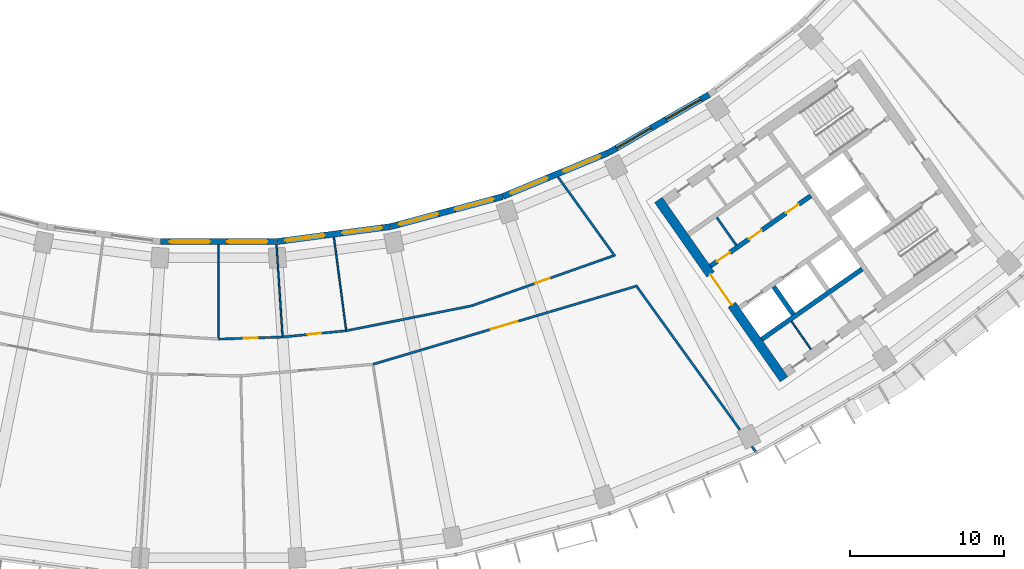
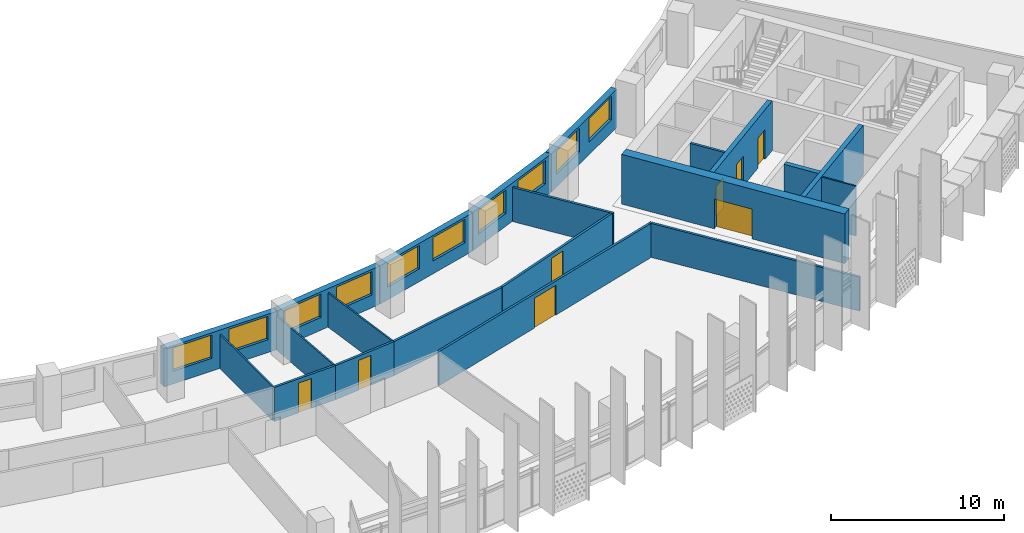
# One storey, part 6 of 27: 21 walls, 10 windows, 8 doors, 18 openings.
"""IFC4 building model written with IfcOpenShell, lengths in metres."""

from ifc_helpers import new_model, si_unit, direction, frame, frame_2d, origin, place, context, subcontext, project, spatial, rectangle, extrude, material, layer, layer_set, type_object, element, fill, save


model = new_model("IFC4")

# Units and contexts
model_context = context("Model", 3, precision=1e-05, world=origin(), true_north=direction((0.0, 1.0)))
body_context = subcontext(model_context, "Body", "Model", "MODEL_VIEW")
ifc_project = project(units=[si_unit("LENGTHUNIT", "METRE"), si_unit("AREAUNIT", "SQUARE_METRE"), si_unit("VOLUMEUNIT", "CUBIC_METRE"), si_unit("PLANEANGLEUNIT", "RADIAN"), si_unit("MASSUNIT", "GRAM", prefix="KILO")], contexts=[model_context])

# Site, building, storey
site_placement = place(None, origin())
site = spatial("IfcSite", under=ifc_project, at=site_placement, CompositionType="ELEMENT")
building_placement = place(site_placement, origin())
building = spatial("IfcBuilding", under=site, at=building_placement, Name="Qamariyya Broadcast Tower", CompositionType="ELEMENT")
storey_placement = place(building_placement, frame((0.0, 0.0, 172.10009765625)))
storey = spatial("IfcBuildingStorey", under=building, at=storey_placement, Name="L40", CompositionType="ELEMENT", Elevation=172.10009765625)

# Wall, opening, door
ifc_material_1 = material(Name="Concrete C60/75", Category="concrete")
ifc_layer_1 = layer(ifc_material_1, 0.60009765625)
ifc_layer_set_1 = layer_set([ifc_layer_1], Name="Core wall 600 mm Concrete C60/75")
wall_type_1 = type_object("IfcWallType", Name="Core wall 600 mm Concrete C60/75", PredefinedType="SHEAR", material=ifc_layer_set_1)
wall_1_placement = place(storey_placement, frame((36.66748046875, -66.005126953125, 0.0), z_axis=(0.0, 0.0, 1.0), x_axis=(-0.573568499524, 0.819157601658, 0.0)))
wall_1 = element("IfcWall", 1, at=wall_1_placement, inside=storey, type_object=wall_type_1, Name="k-E-L40-WA", PredefinedType="SHEAR", context=body_context, shape_type="SweptSolid", body=[
    extrude(rectangle(XDim=14.19970703125, YDim=0.60009765625, at=frame_2d((7.099853515625, 0.0))), origin(), (0.0, 0.0, 1.0), 3.5),
])
opening_1_placement = place(wall_1_placement, frame((5.89990234375, 0.0, 0.0)))
opening_1 = element("IfcOpeningElement", 2, at=opening_1_placement, cuts=wall_1, Name="Opening KD3-E1", PredefinedType="OPENING", context=body_context, shape_type="SweptSolid", body=[
    extrude(rectangle(XDim=2.39990234375, YDim=2.10009765625, at=frame_2d((1.199951171875, 1.050048828125))), frame((0.0, 0.31005859375, 0.0), z_axis=(0.0, -1.0, 0.0), x_axis=(1.0, 0.0, 0.0)), (0.0, 0.0, 1.0), 0.6201171875),
])
ifc_material_2 = material(Name="Steel fire-resisting door leaf", Category="steel")
door_type_1 = type_object("IfcDoorType", Name="Lift lobby door KD3", OperationType="DOUBLE_DOOR_SINGLE_SWING", PredefinedType="DOOR", material=ifc_material_2)
door_1_placement = place(opening_1_placement, origin())
door_1 = element("IfcDoor", 3, at=door_1_placement, inside=storey, type_object=door_type_1, Name="k-E-L40-WA-D1", OperationType="DOUBLE_DOOR_SINGLE_SWING", OverallHeight=2.10009765625, OverallWidth=2.39990234375, PredefinedType="DOOR", context=body_context, shape_type="SweptSolid", body=[
    extrude(rectangle(XDim=2.39990234375, YDim=2.10009765625, at=frame_2d((1.199951171875, 1.050048828125))), frame((0.0, 0.02490234375, 0.0), z_axis=(0.0, -1.0, 0.0), x_axis=(1.0, 0.0, 0.0)), (0.0, 0.0, 1.0), 0.050048828125),
])
fill(opening_1, door_1)

ifc_material_3 = material(Name="Gypsum board partition")
ifc_layer_2 = layer(ifc_material_3, 0.14990234375)
ifc_layer_set_2 = layer_set([ifc_layer_2], Name="Corridor partition 150 EI 60")
wall_type_2 = type_object("IfcWallType", Name="Corridor partition 150 EI 60", PredefinedType="PARTITIONING", material=ifc_layer_set_2)
wall_2_placement = place(storey_placement, frame((0.0, -63.39990234375, 0.0), z_axis=(0.0, 0.0, 1.0), x_axis=(0.999464584765, 0.032719165634, 0.0)))
wall_2 = element("IfcWall", 4, at=wall_2_placement, inside=storey, type_object=wall_type_2, Name="Partition L40-015", PredefinedType="PARTITIONING", context=body_context, shape_type="SweptSolid", body=[
    extrude(rectangle(XDim=4.148681640625, YDim=0.14990234375, at=frame_2d((2.07421875, 0.0))), origin(), (0.0, 0.0, 1.0), 2.39990234375),
])
opening_2_placement = place(wall_2_placement, frame((1.62451171875, 0.0, 0.0)))
opening_2 = element("IfcOpeningElement", 5, at=opening_2_placement, cuts=wall_2, Name="Opening L40-D09", PredefinedType="OPENING", context=body_context, shape_type="SweptSolid", body=[
    extrude(rectangle(XDim=0.89990234375, YDim=2.10009765625, at=frame_2d((0.449951171875, 1.050048828125))), frame((0.0, 0.0849609375, 0.0), z_axis=(0.0, -1.0, 0.0), x_axis=(1.0, 0.0, 0.0)), (0.0, 0.0, 1.0), 0.169921875),
])
ifc_material_4 = material(Name="Timber fire door leaf", Category="wood")
door_type_2 = type_object("IfcDoorType", Name="Fire door 900 x 2100 FD60", OperationType="NOTDEFINED", PredefinedType="DOOR", material=ifc_material_4)
door_2_placement = place(opening_2_placement, origin())
door_2 = element("IfcDoor", 6, at=door_2_placement, inside=storey, type_object=door_type_2, Name="Door L40-D09", OperationType="SINGLE_SWING_RIGHT", OverallHeight=2.10009765625, OverallWidth=0.89990234375, PredefinedType="DOOR", context=body_context, shape_type="SweptSolid", body=[
    extrude(rectangle(XDim=0.89990234375, YDim=2.10009765625, at=frame_2d((0.449951171875, 1.050048828125))), frame((0.0, 0.02490234375, 0.0), z_axis=(0.0, -1.0, 0.0), x_axis=(1.0, 0.0, 0.0)), (0.0, 0.0, 1.0), 0.050048828125),
])
fill(opening_2, door_2)

wall_3_placement = place(storey_placement, frame((4.146484375, -63.26416015625, 0.0), z_axis=(0.0, 0.0, 1.0), x_axis=(0.995188667069, 0.097977124567, 0.0)))
wall_3 = element("IfcWall", 7, at=wall_3_placement, inside=storey, type_object=wall_type_2, Name="Partition L40-020", PredefinedType="PARTITIONING", context=body_context, shape_type="SweptSolid", body=[
    extrude(rectangle(XDim=4.14892578125, YDim=0.14990234375, at=frame_2d((2.074462890625, 0.0))), origin(), (0.0, 0.0, 1.0), 2.39990234375),
])
opening_3_placement = place(wall_3_placement, frame((1.62451171875, 0.0, 0.0)))
opening_3 = element("IfcOpeningElement", 8, at=opening_3_placement, cuts=wall_3, Name="Opening L40-D10", PredefinedType="OPENING", context=body_context, shape_type="SweptSolid", body=[
    extrude(rectangle(XDim=0.89990234375, YDim=2.10009765625, at=frame_2d((0.449951171875, 1.050048828125))), frame((0.0, 0.0849609375, 0.0), z_axis=(0.0, -1.0, 0.0), x_axis=(1.0, 0.0, 0.0)), (0.0, 0.0, 1.0), 0.169921875),
])
door_3_placement = place(opening_3_placement, origin())
door_3 = element("IfcDoor", 9, at=door_3_placement, inside=storey, type_object=door_type_2, Name="Door L40-D10", OperationType="SINGLE_SWING_RIGHT", OverallHeight=2.10009765625, OverallWidth=0.89990234375, PredefinedType="DOOR", context=body_context, shape_type="SweptSolid", body=[
    extrude(rectangle(XDim=0.89990234375, YDim=2.10009765625, at=frame_2d((0.449951171875, 1.050048828125))), frame((0.0, 0.02490234375, 0.0), z_axis=(0.0, -1.0, 0.0), x_axis=(1.0, 0.0, 0.0)), (0.0, 0.0, 1.0), 0.050048828125),
])
fill(opening_3, door_3)

# Wall
wall_4_placement = place(storey_placement, frame((8.275390625, -62.857666015625, 0.0), z_axis=(0.0, 0.0, 1.0), x_axis=(0.980780777209, 0.195112959735, 0.0)))
element("IfcWall", 10, at=wall_4_placement, inside=storey, type_object=wall_type_2, Name="Partition L40-022", PredefinedType="PARTITIONING", context=body_context, shape_type="SweptSolid", body=[
    extrude(rectangle(XDim=8.28466796875, YDim=0.14990234375, at=frame_2d((4.142333984375, 0.0))), origin(), (0.0, 0.0, 1.0), 2.39990234375),
])

# Wall, opening, door
wall_5_placement = place(storey_placement, frame((27.02880859375, -59.981201171875, 0.0), z_axis=(0.0, 0.0, 1.0), x_axis=(-0.958635901926, -0.284635218373, 0.0)))
wall_5 = element("IfcWall", 11, at=wall_5_placement, inside=storey, type_object=wall_type_2, Name="Partition L40-023", PredefinedType="PARTITIONING", context=body_context, shape_type="SweptSolid", body=[
    extrude(rectangle(XDim=17.751708984375, YDim=0.14990234375, at=frame_2d((8.8759765625, 0.0))), origin(), (0.0, 0.0, 1.0), 2.39990234375),
])
opening_4_placement = place(wall_5_placement, frame((7.975830078125, 0.0, 0.0)))
opening_4 = element("IfcOpeningElement", 12, at=opening_4_placement, cuts=wall_5, Name="Opening L40-D06", PredefinedType="OPENING", context=body_context, shape_type="SweptSolid", body=[
    extrude(rectangle(XDim=1.800048828125, YDim=2.10009765625, at=frame_2d((0.89990234375, 1.050048828125))), frame((0.0, 0.0849609375, 0.0), z_axis=(0.0, -1.0, 0.0), x_axis=(1.0, 0.0, 0.0)), (0.0, 0.0, 1.0), 0.169921875),
])
door_type_3 = type_object("IfcDoorType", Name="Double fire door 1800 x 2100 FD60", OperationType="NOTDEFINED", PredefinedType="DOOR", material=ifc_material_4)
door_4_placement = place(opening_4_placement, origin())
door_4 = element("IfcDoor", 13, at=door_4_placement, inside=storey, type_object=door_type_3, Name="Door L40-D06", OperationType="DOUBLE_DOOR_SINGLE_SWING", OverallHeight=2.10009765625, OverallWidth=1.800048828125, PredefinedType="DOOR", context=body_context, shape_type="SweptSolid", body=[
    extrude(rectangle(XDim=1.800048828125, YDim=2.10009765625, at=frame_2d((0.89990234375, 1.050048828125))), frame((0.0, 0.02490234375, 0.0), z_axis=(0.0, -1.0, 0.0), x_axis=(1.0, 0.0, 0.0)), (0.0, 0.0, 1.0), 0.050048828125),
])
fill(opening_4, door_4)

wall_6_placement = place(storey_placement, frame((16.4169921875, -61.23681640625, 0.0), z_axis=(0.0, 0.0, 1.0), x_axis=(0.942982926679, 0.332841103219, 0.0)))
wall_6 = element("IfcWall", 14, at=wall_6_placement, inside=storey, type_object=wall_type_2, Name="Partition L40-025", PredefinedType="PARTITIONING", context=body_context, shape_type="SweptSolid", body=[
    extrude(rectangle(XDim=9.736572265625, YDim=0.14990234375, at=frame_2d((4.8681640625, 0.0))), origin(), (0.0, 0.0, 1.0), 2.39990234375),
])
opening_5_placement = place(wall_6_placement, frame((4.368408203125, 0.0, 0.0)))
opening_5 = element("IfcOpeningElement", 15, at=opening_5_placement, cuts=wall_6, Name="Opening L40-D11", PredefinedType="OPENING", context=body_context, shape_type="SweptSolid", body=[
    extrude(rectangle(XDim=1.0, YDim=2.10009765625, at=frame_2d((0.5, 1.050048828125))), frame((0.0, 0.0849609375, 0.0), z_axis=(0.0, -1.0, 0.0), x_axis=(1.0, 0.0, 0.0)), (0.0, 0.0, 1.0), 0.169921875),
])
door_type_4 = type_object("IfcDoorType", Name="Fire door 1000 x 2100 FD60", OperationType="NOTDEFINED", PredefinedType="DOOR", material=ifc_material_4)
door_5_placement = place(opening_5_placement, origin())
door_5 = element("IfcDoor", 16, at=door_5_placement, inside=storey, type_object=door_type_4, Name="Door L40-D11", OperationType="SINGLE_SWING_RIGHT", OverallHeight=2.10009765625, OverallWidth=1.0, PredefinedType="DOOR", context=body_context, shape_type="SweptSolid", body=[
    extrude(rectangle(XDim=1.0, YDim=2.10009765625, at=frame_2d((0.5, 1.050048828125))), frame((0.0, 0.02490234375, 0.0), z_axis=(0.0, -1.0, 0.0), x_axis=(1.0, 0.0, 0.0)), (0.0, 0.0, 1.0), 0.050048828125),
])
fill(opening_5, door_5)

# Walls
wall_7_placement = place(storey_placement, frame((22.0, -52.873046875, 0.0), z_axis=(0.0, 0.0, 1.0), x_axis=(0.58417014289, -0.811631224236, 0.0)))
element("IfcWall", 17, at=wall_7_placement, inside=storey, type_object=wall_type_2, Name="Partition L40-026", PredefinedType="PARTITIONING", context=body_context, shape_type="SweptSolid", body=[
    extrude(rectangle(XDim=6.356201171875, YDim=0.14990234375, at=frame_2d((3.17822265625, 0.0))), origin(), (0.0, 0.0, 1.0), 2.39990234375),
])
wall_8_placement = place(storey_placement, frame((27.056884765625, -59.899169921875, 0.0), z_axis=(0.0, 0.0, 1.0), x_axis=(0.584166374063, -0.81163393683, 0.0)))
element("IfcWall", 18, at=wall_8_placement, inside=storey, type_object=wall_type_2, Name="Partition L40-027", PredefinedType="PARTITIONING", context=body_context, shape_type="SweptSolid", body=[
    extrude(rectangle(XDim=13.296142578125, YDim=0.14990234375, at=frame_2d((6.64794921875, 0.0))), origin(), (0.0, 0.0, 1.0), 2.39990234375),
])
ifc_material_5 = material(Name="Gypsum board partition on steel studs", Category="steel")
ifc_layer_3 = layer(ifc_material_5, 0.14990234375)
ifc_layer_set_3 = layer_set([ifc_layer_3], Name="Gypsum board partition 150 mm")
wall_type_3 = type_object("IfcWallType", Name="Gypsum board partition 150 mm", PredefinedType="PARTITIONING", material=ifc_layer_set_3)
wall_9_placement = place(storey_placement, frame((33.569580078125, -57.3095703125, 0.0), z_axis=(0.0, 0.0, 1.0), x_axis=(-0.573507030513, 0.819200638399, 0.0)))
element("IfcWall", 19, at=wall_9_placement, inside=storey, type_object=wall_type_3, Name="k-E-L40-NC215", PredefinedType="PARTITIONING", context=body_context, shape_type="SweptSolid", body=[
    extrude(rectangle(XDim=2.199951171875, YDim=0.14990234375, at=frame_2d((1.10009765625, 0.0))), origin(), (0.0, 0.0, 1.0), 3.5),
])

# Wall, openings, doors
ifc_layer_4 = layer(ifc_material_1, 0.300048828125)
ifc_layer_set_4 = layer_set([ifc_layer_4], Name="Lift shaft wall 300 mm Concrete C60/75")
wall_type_4 = type_object("IfcWallType", Name="Lift shaft wall 300 mm Concrete C60/75", PredefinedType="SOLIDWALL", material=ifc_layer_set_4)
wall_10_placement = place(storey_placement, frame((31.89453125, -58.66552734375, 0.0), z_axis=(0.0, 0.0, 1.0), x_axis=(0.819166993208, 0.573555086491, 0.0)))
wall_10 = element("IfcWall", 20, at=wall_10_placement, inside=storey, type_object=wall_type_4, Name="k-E-L40-NF0", PredefinedType="SOLIDWALL", context=body_context, shape_type="SweptSolid", body=[
    extrude(rectangle(XDim=7.9501953125, YDim=0.300048828125, at=frame_2d((3.97509765625, 0.0))), origin(), (0.0, 0.0, 1.0), 3.5),
])
opening_6_placement = place(wall_10_placement, frame((0.53759765625, 0.0, 0.0)))
opening_6 = element("IfcOpeningElement", 21, at=opening_6_placement, cuts=wall_10, Name="Opening KD6-E1", PredefinedType="OPENING", context=body_context, shape_type="SweptSolid", body=[
    extrude(rectangle(XDim=1.0, YDim=2.10009765625, at=frame_2d((0.5, 1.050048828125))), frame((0.0, 0.159912109375, 0.0), z_axis=(0.0, -1.0, 0.0), x_axis=(1.0, 0.0, 0.0)), (0.0, 0.0, 1.0), 0.320068359375),
])
opening_7_placement = place(wall_10_placement, frame((3.050048828125, 0.0, 0.0)))
opening_7 = element("IfcOpeningElement", 22, at=opening_7_placement, cuts=wall_10, Name="Opening KD6-E2", PredefinedType="OPENING", context=body_context, shape_type="SweptSolid", body=[
    extrude(rectangle(XDim=1.0, YDim=2.10009765625, at=frame_2d((0.5, 1.050048828125))), frame((0.0, 0.159912109375, 0.0), z_axis=(0.0, -1.0, 0.0), x_axis=(1.0, 0.0, 0.0)), (0.0, 0.0, 1.0), 0.320068359375),
])
opening_8_placement = place(wall_10_placement, frame((5.987548828125, 0.0, 0.0)))
opening_8 = element("IfcOpeningElement", 23, at=opening_8_placement, cuts=wall_10, Name="Opening KD4-E1", PredefinedType="OPENING", context=body_context, shape_type="SweptSolid", body=[
    extrude(rectangle(XDim=1.0, YDim=2.10009765625, at=frame_2d((0.5, 1.050048828125))), frame((0.0, 0.159912109375, 0.0), z_axis=(0.0, -1.0, 0.0), x_axis=(1.0, 0.0, 0.0)), (0.0, 0.0, 1.0), 0.320068359375),
])
door_type_5 = type_object("IfcDoorType", Name="Core room door KD6", OperationType="SINGLE_SWING_LEFT", PredefinedType="DOOR", material=ifc_material_2)
door_6_placement = place(opening_6_placement, origin())
door_6 = element("IfcDoor", 24, at=door_6_placement, inside=storey, type_object=door_type_5, Name="k-E-L40-NF0-D2", OperationType="SINGLE_SWING_RIGHT", OverallHeight=2.10009765625, OverallWidth=1.0, PredefinedType="DOOR", context=body_context, shape_type="SweptSolid", body=[
    extrude(rectangle(XDim=1.0, YDim=2.10009765625, at=frame_2d((0.5, 1.050048828125))), frame((0.0, 0.02490234375, 0.0), z_axis=(0.0, -1.0, 0.0), x_axis=(1.0, 0.0, 0.0)), (0.0, 0.0, 1.0), 0.050048828125),
])
fill(opening_6, door_6)
door_7_placement = place(opening_7_placement, origin())
door_7 = element("IfcDoor", 25, at=door_7_placement, inside=storey, type_object=door_type_5, Name="k-E-L40-NF0-D3", OperationType="SINGLE_SWING_LEFT", OverallHeight=2.10009765625, OverallWidth=1.0, PredefinedType="DOOR", context=body_context, shape_type="SweptSolid", body=[
    extrude(rectangle(XDim=1.0, YDim=2.10009765625, at=frame_2d((0.5, 1.050048828125))), frame((0.0, 0.02490234375, 0.0), z_axis=(0.0, -1.0, 0.0), x_axis=(1.0, 0.0, 0.0)), (0.0, 0.0, 1.0), 0.050048828125),
])
fill(opening_7, door_7)
door_type_6 = type_object("IfcDoorType", Name="Riser and plant door KD4", OperationType="SINGLE_SWING_LEFT", PredefinedType="DOOR", material=ifc_material_2)
door_8_placement = place(opening_8_placement, origin())
door_8 = element("IfcDoor", 26, at=door_8_placement, inside=storey, type_object=door_type_6, Name="k-E-L40-NF0-D4", OperationType="SINGLE_SWING_RIGHT", OverallHeight=2.10009765625, OverallWidth=1.0, PredefinedType="DOOR", context=body_context, shape_type="SweptSolid", body=[
    extrude(rectangle(XDim=1.0, YDim=2.10009765625, at=frame_2d((0.5, 1.050048828125))), frame((0.0, 0.02490234375, 0.0), z_axis=(0.0, -1.0, 0.0), x_axis=(1.0, 0.0, 0.0)), (0.0, 0.0, 1.0), 0.050048828125),
])
fill(opening_8, door_8)

# Walls
wall_11_placement = place(storey_placement, frame((35.22119140625, -63.41650390625, 0.0), z_axis=(0.0, 0.0, 1.0), x_axis=(0.819166993208, 0.573555086491, 0.0)))
element("IfcWall", 27, at=wall_11_placement, inside=storey, type_object=wall_type_4, Name="k-E-L40-SB0", PredefinedType="SOLIDWALL", context=body_context, shape_type="SweptSolid", body=[
    extrude(rectangle(XDim=7.9501953125, YDim=0.300048828125, at=frame_2d((3.97509765625, 0.0))), origin(), (0.0, 0.0, 1.0), 3.5),
])
wall_12_placement = place(storey_placement, frame((36.003173828125, -60.000244140625, 0.0), z_axis=(0.0, 0.0, 1.0), x_axis=(0.573581496053, -0.819148501424, 0.0)))
element("IfcWall", 28, at=wall_12_placement, inside=storey, type_object=wall_type_4, Name="k-E-L40-SD0", PredefinedType="SOLIDWALL", context=body_context, shape_type="SweptSolid", body=[
    extrude(rectangle(XDim=2.2001953125, YDim=0.300048828125, at=frame_2d((1.10009765625, 0.0))), origin(), (0.0, 0.0, 1.0), 3.5),
])
ifc_layer_5 = layer(ifc_material_3, 0.10009765625)
ifc_layer_set_5 = layer_set([ifc_layer_5], Name="Partition 100")
wall_type_5 = type_object("IfcWallType", Name="Partition 100", PredefinedType="PARTITIONING", material=ifc_layer_set_5)
wall_13_placement = place(storey_placement, frame((0.0, -57.278076171875, 0.0), z_axis=(0.0, 0.0, 1.0), x_axis=(0.0, -1.0, 0.0)))
element("IfcWall", 29, at=wall_13_placement, inside=storey, type_object=wall_type_5, Name="Partition L40-016", PredefinedType="PARTITIONING", context=body_context, shape_type="SweptSolid", body=[
    extrude(rectangle(XDim=6.046875, YDim=0.10009765625, at=frame_2d((3.0234375, 0.0))), origin(), (0.0, 0.0, 1.0), 2.39990234375),
])
wall_14_placement = place(storey_placement, frame((3.754150390625, -57.277099609375, 0.0), z_axis=(0.0, 0.0, 1.0), x_axis=(0.065392214001, -0.997859638601, 0.0)))
element("IfcWall", 30, at=wall_14_placement, inside=storey, type_object=wall_type_5, Name="Partition L40-019", PredefinedType="PARTITIONING", context=body_context, shape_type="SweptSolid", body=[
    extrude(rectangle(XDim=5.925048828125, YDim=0.10009765625, at=frame_2d((2.96240234375, 0.0))), origin(), (0.0, 0.0, 1.0), 2.39990234375),
])
wall_15_placement = place(storey_placement, frame((7.476318359375, -56.787841796875, 0.0), z_axis=(0.0, 0.0, 1.0), x_axis=(0.130526573864, -0.991444811129, 0.0)))
element("IfcWall", 31, at=wall_15_placement, inside=storey, type_object=wall_type_5, Name="Partition L40-021", PredefinedType="PARTITIONING", context=body_context, shape_type="SweptSolid", body=[
    extrude(rectangle(XDim=6.047119140625, YDim=0.10009765625, at=frame_2d((3.0234375, 0.0))), origin(), (0.0, 0.0, 1.0), 2.39990234375),
])
ifc_material_6 = material(Name="Fire-rated gypsum shaft liner on steel studs", Category="steel")
ifc_layer_6 = layer(ifc_material_6, 0.10009765625)
ifc_layer_set_6 = layer_set([ifc_layer_6], Name="Riser wall 100 mm")
wall_type_6 = type_object("IfcWallType", Name="Riser wall 100 mm", PredefinedType="PLUMBINGWALL", material=ifc_layer_set_6)
wall_16_placement = place(storey_placement, frame((37.150390625, -62.2490234375, 0.0), z_axis=(0.0, 0.0, 1.0), x_axis=(0.573633636671, -0.819111989218, 0.0)))
element("IfcWall", 32, at=wall_16_placement, inside=storey, type_object=wall_type_6, Name="k-E-L40-SP225", PredefinedType="PLUMBINGWALL", context=body_context, shape_type="SweptSolid", body=[
    extrude(rectangle(XDim=2.199951171875, YDim=0.10009765625, at=frame_2d((1.10009765625, 0.0))), origin(), (0.0, 0.0, 1.0), 3.5),
])

# Wall, openings, windows
ifc_material_7 = material(Name="Terracotta", Category="masonry")
ifc_layer_7 = layer(ifc_material_7, 0.39990234375)
ifc_layer_set_7 = layer_set([ifc_layer_7], Name="Terracotta clad wall 400")
wall_type_7 = type_object("IfcWallType", Name="Terracotta clad wall 400", PredefinedType="SOLIDWALL", material=ifc_layer_set_7)
wall_17_placement = place(storey_placement, frame((25.252197265625, -51.32080078125, 0.0), z_axis=(0.0, 0.0, 1.0), x_axis=(-0.923867659443, -0.382712095229, 0.0)))
wall_17 = element("IfcWall", 33, at=wall_17_placement, inside=storey, type_object=wall_type_7, Name="e-wl-L40-in100", PredefinedType="SOLIDWALL", context=body_context, shape_type="SweptSolid", body=[
    extrude(rectangle(XDim=7.380859375, YDim=0.39990234375, at=frame_2d((3.6904296875, 0.0))), origin(), (0.0, 0.0, 1.0), 2.699951171875),
])
opening_9_placement = place(wall_17_placement, frame((4.25439453125, 0.0, 0.89990234375)))
opening_9 = element("IfcOpeningElement", 34, at=opening_9_placement, cuts=wall_17, Name="Opening W1", PredefinedType="OPENING", context=body_context, shape_type="SweptSolid", body=[
    extrude(rectangle(XDim=2.60009765625, YDim=1.64990234375, at=frame_2d((1.300048828125, 0.824951171875))), frame((0.0, 0.2099609375, 0.0), z_axis=(0.0, -1.0, 0.0), x_axis=(1.0, 0.0, 0.0)), (0.0, 0.0, 1.0), 0.419921875),
])
opening_10_placement = place(wall_17_placement, frame((0.5263671875, 0.0, 0.89990234375)))
opening_10 = element("IfcOpeningElement", 35, at=opening_10_placement, cuts=wall_17, Name="Opening W1", PredefinedType="OPENING", context=body_context, shape_type="SweptSolid", body=[
    extrude(rectangle(XDim=2.60009765625, YDim=1.64990234375, at=frame_2d((1.300048828125, 0.824951171875))), frame((0.0, 0.2099609375, 0.0), z_axis=(0.0, -1.0, 0.0), x_axis=(1.0, 0.0, 0.0)), (0.0, 0.0, 1.0), 0.419921875),
])
ifc_material_8 = material(Name="Clear low-e double glazed unit in aluminium frame", Category="aluminium")
window_type = type_object("IfcWindowType", Name="Ribbon window 2600 x 1650", PartitioningType="SINGLE_PANEL", PredefinedType="WINDOW", material=ifc_material_8)
window_1_placement = place(opening_9_placement, origin())
window_1 = element("IfcWindow", 36, at=window_1_placement, inside=storey, type_object=window_type, Name="e-w-L40-in10-0", OverallHeight=1.64990234375, OverallWidth=2.60009765625, PartitioningType="SINGLE_PANEL", PredefinedType="WINDOW", context=body_context, shape_type="SweptSolid", body=[
    extrude(rectangle(XDim=2.60009765625, YDim=1.64990234375, at=frame_2d((1.300048828125, 0.824951171875))), frame((0.0, 0.030029296875, 0.0), z_axis=(0.0, -1.0, 0.0), x_axis=(1.0, 0.0, 0.0)), (0.0, 0.0, 1.0), 0.06005859375),
])
fill(opening_9, window_1)
window_2_placement = place(opening_10_placement, origin())
window_2 = element("IfcWindow", 37, at=window_2_placement, inside=storey, type_object=window_type, Name="e-w-L40-in10-1", OverallHeight=1.64990234375, OverallWidth=2.60009765625, PartitioningType="SINGLE_PANEL", PredefinedType="WINDOW", context=body_context, shape_type="SweptSolid", body=[
    extrude(rectangle(XDim=2.60009765625, YDim=1.64990234375, at=frame_2d((1.300048828125, 0.824951171875))), frame((0.0, 0.030029296875, 0.0), z_axis=(0.0, -1.0, 0.0), x_axis=(1.0, 0.0, 0.0)), (0.0, 0.0, 1.0), 0.06005859375),
])
fill(opening_10, window_2)

wall_18_placement = place(storey_placement, frame((31.800537109375, -47.5478515625, 0.0), z_axis=(0.0, 0.0, 1.0), x_axis=(-0.866028517328, -0.499994607145, 0.0)))
wall_18 = element("IfcWall", 38, at=wall_18_placement, inside=storey, type_object=wall_type_7, Name="e-wl-L40-in110", PredefinedType="SOLIDWALL", context=body_context, shape_type="SweptSolid", body=[
    extrude(rectangle(XDim=7.5322265625, YDim=0.39990234375, at=frame_2d((3.76611328125, 0.0))), origin(), (0.0, 0.0, 1.0), 2.699951171875),
])
opening_11_placement = place(wall_18_placement, frame((4.330078125, 0.0, 0.89990234375)))
opening_11 = element("IfcOpeningElement", 39, at=opening_11_placement, cuts=wall_18, Name="Opening W1", PredefinedType="OPENING", context=body_context, shape_type="SweptSolid", body=[
    extrude(rectangle(XDim=2.60009765625, YDim=1.64990234375, at=frame_2d((1.300048828125, 0.824951171875))), frame((0.0, 0.2099609375, 0.0), z_axis=(0.0, -1.0, 0.0), x_axis=(1.0, 0.0, 0.0)), (0.0, 0.0, 1.0), 0.419921875),
])
opening_12_placement = place(wall_18_placement, frame((0.60205078125, 0.0, 0.89990234375)))
opening_12 = element("IfcOpeningElement", 40, at=opening_12_placement, cuts=wall_18, Name="Opening W1", PredefinedType="OPENING", context=body_context, shape_type="SweptSolid", body=[
    extrude(rectangle(XDim=2.60009765625, YDim=1.64990234375, at=frame_2d((1.300048828125, 0.824951171875))), frame((0.0, 0.2099609375, 0.0), z_axis=(0.0, -1.0, 0.0), x_axis=(1.0, 0.0, 0.0)), (0.0, 0.0, 1.0), 0.419921875),
])
window_3_placement = place(opening_11_placement, origin())
window_3 = element("IfcWindow", 41, at=window_3_placement, inside=storey, type_object=window_type, Name="e-w-L40-in11-0", OverallHeight=1.64990234375, OverallWidth=2.60009765625, PartitioningType="SINGLE_PANEL", PredefinedType="WINDOW", context=body_context, shape_type="SweptSolid", body=[
    extrude(rectangle(XDim=2.60009765625, YDim=1.64990234375, at=frame_2d((1.300048828125, 0.824951171875))), frame((0.0, 0.030029296875, 0.0), z_axis=(0.0, -1.0, 0.0), x_axis=(1.0, 0.0, 0.0)), (0.0, 0.0, 1.0), 0.06005859375),
])
fill(opening_11, window_3)
window_4_placement = place(opening_12_placement, origin())
window_4 = element("IfcWindow", 42, at=window_4_placement, inside=storey, type_object=window_type, Name="e-w-L40-in11-1", OverallHeight=1.64990234375, OverallWidth=2.60009765625, PartitioningType="SINGLE_PANEL", PredefinedType="WINDOW", context=body_context, shape_type="SweptSolid", body=[
    extrude(rectangle(XDim=2.60009765625, YDim=1.64990234375, at=frame_2d((1.300048828125, 0.824951171875))), frame((0.0, 0.030029296875, 0.0), z_axis=(0.0, -1.0, 0.0), x_axis=(1.0, 0.0, 0.0)), (0.0, 0.0, 1.0), 0.06005859375),
])
fill(opening_12, window_4)

wall_19_placement = place(storey_placement, frame((3.76611328125, -57.077880859375, 0.0), z_axis=(0.0, 0.0, 1.0), x_axis=(-1.0, 0.0, 0.0)))
wall_19 = element("IfcWall", 43, at=wall_19_placement, inside=storey, type_object=wall_type_7, Name="e-wl-L40-in70", PredefinedType="SOLIDWALL", context=body_context, shape_type="SweptSolid", body=[
    extrude(rectangle(XDim=7.5322265625, YDim=0.39990234375, at=frame_2d((3.76611328125, 0.0))), origin(), (0.0, 0.0, 1.0), 2.699951171875),
])
opening_13_placement = place(wall_19_placement, frame((4.330078125, 0.0, 0.89990234375)))
opening_13 = element("IfcOpeningElement", 44, at=opening_13_placement, cuts=wall_19, Name="Opening W1", PredefinedType="OPENING", context=body_context, shape_type="SweptSolid", body=[
    extrude(rectangle(XDim=2.60009765625, YDim=1.64990234375, at=frame_2d((1.300048828125, 0.824951171875))), frame((0.0, 0.2099609375, 0.0), z_axis=(0.0, -1.0, 0.0), x_axis=(1.0, 0.0, 0.0)), (0.0, 0.0, 1.0), 0.419921875),
])
opening_14_placement = place(wall_19_placement, frame((0.60205078125, 0.0, 0.89990234375)))
opening_14 = element("IfcOpeningElement", 45, at=opening_14_placement, cuts=wall_19, Name="Opening W1", PredefinedType="OPENING", context=body_context, shape_type="SweptSolid", body=[
    extrude(rectangle(XDim=2.60009765625, YDim=1.64990234375, at=frame_2d((1.300048828125, 0.824951171875))), frame((0.0, 0.2099609375, 0.0), z_axis=(0.0, -1.0, 0.0), x_axis=(1.0, 0.0, 0.0)), (0.0, 0.0, 1.0), 0.419921875),
])
window_5_placement = place(opening_13_placement, origin())
window_5 = element("IfcWindow", 46, at=window_5_placement, inside=storey, type_object=window_type, Name="e-w-L40-in07-0", OverallHeight=1.64990234375, OverallWidth=2.60009765625, PartitioningType="SINGLE_PANEL", PredefinedType="WINDOW", context=body_context, shape_type="SweptSolid", body=[
    extrude(rectangle(XDim=2.60009765625, YDim=1.64990234375, at=frame_2d((1.300048828125, 0.824951171875))), frame((0.0, 0.030029296875, 0.0), z_axis=(0.0, -1.0, 0.0), x_axis=(1.0, 0.0, 0.0)), (0.0, 0.0, 1.0), 0.06005859375),
])
fill(opening_13, window_5)
window_6_placement = place(opening_14_placement, origin())
window_6 = element("IfcWindow", 47, at=window_6_placement, inside=storey, type_object=window_type, Name="e-w-L40-in07-1", OverallHeight=1.64990234375, OverallWidth=2.60009765625, PartitioningType="SINGLE_PANEL", PredefinedType="WINDOW", context=body_context, shape_type="SweptSolid", body=[
    extrude(rectangle(XDim=2.60009765625, YDim=1.64990234375, at=frame_2d((1.300048828125, 0.824951171875))), frame((0.0, 0.030029296875, 0.0), z_axis=(0.0, -1.0, 0.0), x_axis=(1.0, 0.0, 0.0)), (0.0, 0.0, 1.0), 0.06005859375),
])
fill(opening_14, window_6)

wall_20_placement = place(storey_placement, frame((11.10888671875, -56.10791015625, 0.0), z_axis=(0.0, 0.0, 1.0), x_axis=(-0.99144438474, -0.130529812564, 0.0)))
wall_20 = element("IfcWall", 48, at=wall_20_placement, inside=storey, type_object=wall_type_7, Name="e-wl-L40-in80", PredefinedType="SOLIDWALL", context=body_context, shape_type="SweptSolid", body=[
    extrude(rectangle(XDim=7.380615234375, YDim=0.39990234375, at=frame_2d((3.6904296875, 0.0))), origin(), (0.0, 0.0, 1.0), 2.699951171875),
])
opening_15_placement = place(wall_20_placement, frame((4.25439453125, 0.0, 0.89990234375)))
opening_15 = element("IfcOpeningElement", 49, at=opening_15_placement, cuts=wall_20, Name="Opening W1", PredefinedType="OPENING", context=body_context, shape_type="SweptSolid", body=[
    extrude(rectangle(XDim=2.60009765625, YDim=1.64990234375, at=frame_2d((1.300048828125, 0.824951171875))), frame((0.0, 0.2099609375, 0.0), z_axis=(0.0, -1.0, 0.0), x_axis=(1.0, 0.0, 0.0)), (0.0, 0.0, 1.0), 0.419921875),
])
opening_16_placement = place(wall_20_placement, frame((0.5263671875, 0.0, 0.89990234375)))
opening_16 = element("IfcOpeningElement", 50, at=opening_16_placement, cuts=wall_20, Name="Opening W1", PredefinedType="OPENING", context=body_context, shape_type="SweptSolid", body=[
    extrude(rectangle(XDim=2.60009765625, YDim=1.64990234375, at=frame_2d((1.300048828125, 0.824951171875))), frame((0.0, 0.2099609375, 0.0), z_axis=(0.0, -1.0, 0.0), x_axis=(1.0, 0.0, 0.0)), (0.0, 0.0, 1.0), 0.419921875),
])
window_7_placement = place(opening_15_placement, origin())
window_7 = element("IfcWindow", 51, at=window_7_placement, inside=storey, type_object=window_type, Name="e-w-L40-in08-0", OverallHeight=1.64990234375, OverallWidth=2.60009765625, PartitioningType="SINGLE_PANEL", PredefinedType="WINDOW", context=body_context, shape_type="SweptSolid", body=[
    extrude(rectangle(XDim=2.60009765625, YDim=1.64990234375, at=frame_2d((1.300048828125, 0.824951171875))), frame((0.0, 0.030029296875, 0.0), z_axis=(0.0, -1.0, 0.0), x_axis=(1.0, 0.0, 0.0)), (0.0, 0.0, 1.0), 0.06005859375),
])
fill(opening_15, window_7)
window_8_placement = place(opening_16_placement, origin())
window_8 = element("IfcWindow", 52, at=window_8_placement, inside=storey, type_object=window_type, Name="e-w-L40-in08-1", OverallHeight=1.64990234375, OverallWidth=2.60009765625, PartitioningType="SINGLE_PANEL", PredefinedType="WINDOW", context=body_context, shape_type="SweptSolid", body=[
    extrude(rectangle(XDim=2.60009765625, YDim=1.64990234375, at=frame_2d((1.300048828125, 0.824951171875))), frame((0.0, 0.030029296875, 0.0), z_axis=(0.0, -1.0, 0.0), x_axis=(1.0, 0.0, 0.0)), (0.0, 0.0, 1.0), 0.06005859375),
])
fill(opening_16, window_8)

wall_21_placement = place(storey_placement, frame((18.41064453125, -54.158447265625, 0.0), z_axis=(0.0, 0.0, 1.0), x_axis=(-0.965927073219, -0.258814391452, 0.0)))
wall_21 = element("IfcWall", 53, at=wall_21_placement, inside=storey, type_object=wall_type_7, Name="e-wl-L40-in90", PredefinedType="SOLIDWALL", context=body_context, shape_type="SweptSolid", body=[
    extrude(rectangle(XDim=7.5322265625, YDim=0.39990234375, at=frame_2d((3.76611328125, 0.0))), origin(), (0.0, 0.0, 1.0), 2.699951171875),
])
opening_17_placement = place(wall_21_placement, frame((4.330078125, 0.0, 0.89990234375)))
opening_17 = element("IfcOpeningElement", 54, at=opening_17_placement, cuts=wall_21, Name="Opening W1", PredefinedType="OPENING", context=body_context, shape_type="SweptSolid", body=[
    extrude(rectangle(XDim=2.60009765625, YDim=1.64990234375, at=frame_2d((1.300048828125, 0.824951171875))), frame((0.0, 0.2099609375, 0.0), z_axis=(0.0, -1.0, 0.0), x_axis=(1.0, 0.0, 0.0)), (0.0, 0.0, 1.0), 0.419921875),
])
opening_18_placement = place(wall_21_placement, frame((0.60205078125, 0.0, 0.89990234375)))
opening_18 = element("IfcOpeningElement", 55, at=opening_18_placement, cuts=wall_21, Name="Opening W1", PredefinedType="OPENING", context=body_context, shape_type="SweptSolid", body=[
    extrude(rectangle(XDim=2.60009765625, YDim=1.64990234375, at=frame_2d((1.300048828125, 0.824951171875))), frame((0.0, 0.2099609375, 0.0), z_axis=(0.0, -1.0, 0.0), x_axis=(1.0, 0.0, 0.0)), (0.0, 0.0, 1.0), 0.419921875),
])
window_9_placement = place(opening_17_placement, origin())
window_9 = element("IfcWindow", 56, at=window_9_placement, inside=storey, type_object=window_type, Name="e-w-L40-in09-0", OverallHeight=1.64990234375, OverallWidth=2.60009765625, PartitioningType="SINGLE_PANEL", PredefinedType="WINDOW", context=body_context, shape_type="SweptSolid", body=[
    extrude(rectangle(XDim=2.60009765625, YDim=1.64990234375, at=frame_2d((1.300048828125, 0.824951171875))), frame((0.0, 0.030029296875, 0.0), z_axis=(0.0, -1.0, 0.0), x_axis=(1.0, 0.0, 0.0)), (0.0, 0.0, 1.0), 0.06005859375),
])
fill(opening_17, window_9)
window_10_placement = place(opening_18_placement, origin())
window_10 = element("IfcWindow", 57, at=window_10_placement, inside=storey, type_object=window_type, Name="e-w-L40-in09-1", OverallHeight=1.64990234375, OverallWidth=2.60009765625, PartitioningType="SINGLE_PANEL", PredefinedType="WINDOW", context=body_context, shape_type="SweptSolid", body=[
    extrude(rectangle(XDim=2.60009765625, YDim=1.64990234375, at=frame_2d((1.300048828125, 0.824951171875))), frame((0.0, 0.030029296875, 0.0), z_axis=(0.0, -1.0, 0.0), x_axis=(1.0, 0.0, 0.0)), (0.0, 0.0, 1.0), 0.06005859375),
])
fill(opening_18, window_10)

save(model, "model.ifc")
